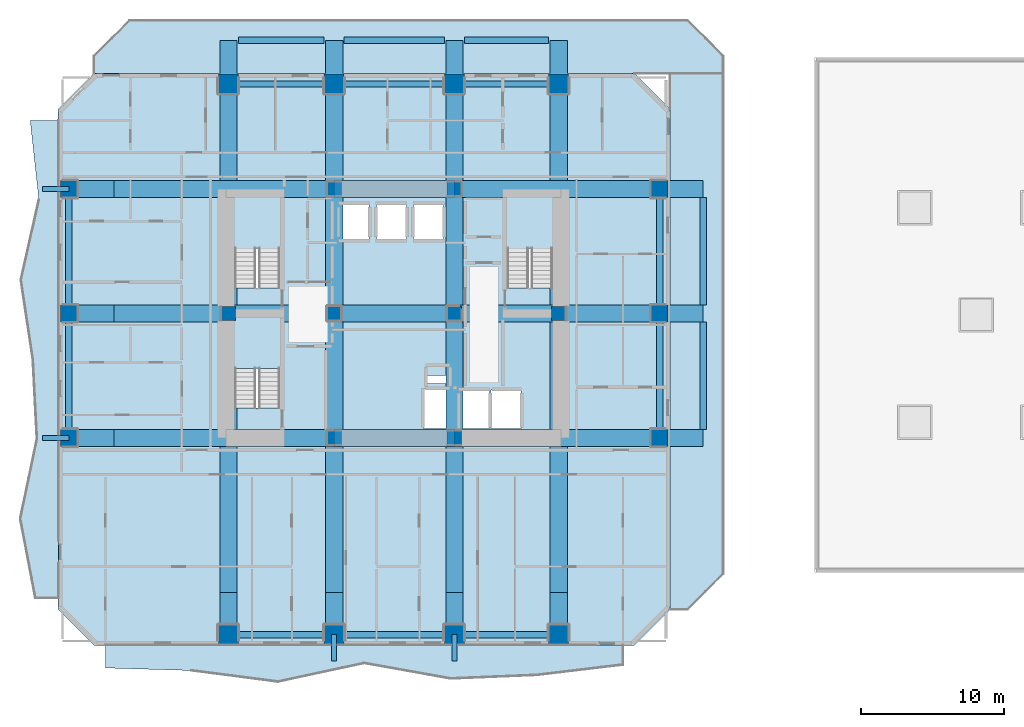
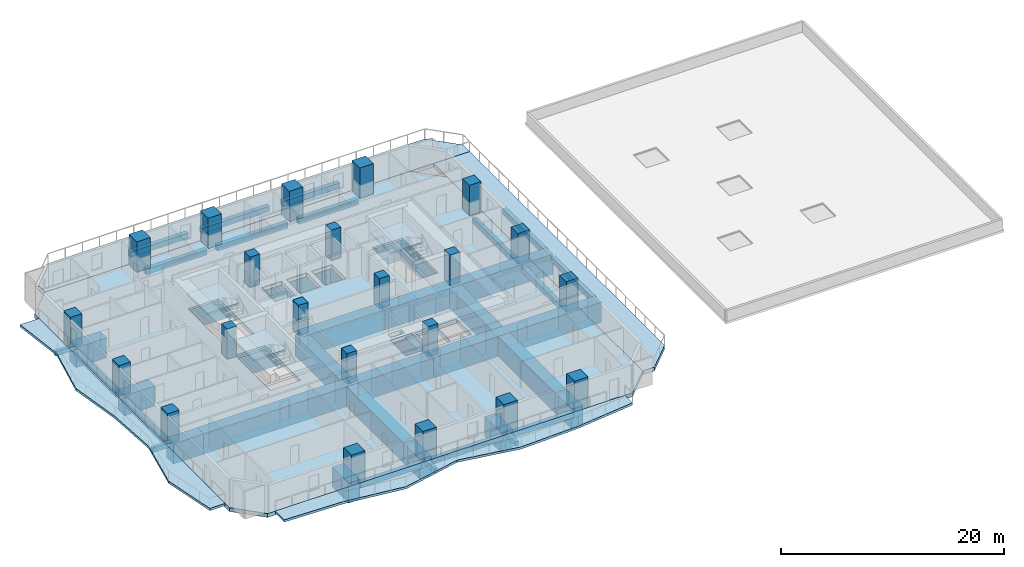
# One storey, part 1 of 13: 43 beams, 22 columns, 8 slabs, 3 elements without a shape of their own.
"""IFC4 building model written with IfcOpenShell, lengths in metres."""

import ifcopenshell
import ifcopenshell.guid

model = None  # the IFC model being written
_history = None  # IfcOwnerHistory: only IFC2X3 demands one
_inside = {}  # id of a spatial element -> (the spatial element, [elements in it])
_under = {}  # id of a project, library or spatial element -> (it, [spatial elements below it])
_declared = {}  # id of a project -> (the project, [libraries it declares])
_typed = {}  # id of a type object -> (the type object, [elements of that type])
_made_of = {}  # id of a material, layer set ... -> (it, [elements and type objects made of it])


def new_model(schema):
    """Start an empty IFC model of exactly this schema.

    Asked for "IFC4X3", IfcOpenShell would pick the latest addendum, in which some entities
    have other attributes; the version numbers below select the first issue.
    IFC2X3 requires an IfcOwnerHistory on every rooted entity: one is made here for all.
    """
    global model, _history
    if schema == "IFC4X3":
        model = ifcopenshell.file(schema_version=(4, 3, 0, 0))
    else:
        model = ifcopenshell.file(schema=schema)
    _inside.clear()
    _under.clear()
    _declared.clear()
    _typed.clear()
    _made_of.clear()
    _history = None
    if model.schema == "IFC2X3":
        org = make("IfcOrganization", Name="unknown")
        user = make(
            "IfcPersonAndOrganization",
            ThePerson=make("IfcPerson", FamilyName="unknown"),
            TheOrganization=org,
        )
        app = make(
            "IfcApplication",
            ApplicationDeveloper=org,
            Version="unknown",
            ApplicationFullName="unknown",
            ApplicationIdentifier="unknown",
        )
        _history = make(
            "IfcOwnerHistory",
            OwningUser=user,
            OwningApplication=app,
            ChangeAction="ADDED",
            CreationDate=0,
        )
    return model


def make(cls, **values):
    """One entity of the class cls with the attributes given. An attribute that is None is left unset."""
    return model.create_entity(
        cls, **{name: value for name, value in values.items() if value is not None}
    )


def rooted(cls, **values):
    """An entity with a GlobalId (a new one), such as an element, a storey or a relation."""
    return make(cls, GlobalId=ifcopenshell.guid.new(), OwnerHistory=_history, **values)


def si_unit(unit_type, name, prefix=None):
    """IfcSIUnit, for example si_unit("LENGTHUNIT", "METRE", prefix="MILLI")."""
    return make("IfcSIUnit", UnitType=unit_type, Prefix=prefix, Name=name)


def assignment(units):
    """IfcUnitAssignment: the units of a project."""
    return None if units is None else make("IfcUnitAssignment", Units=units)


def point(xyz):
    """IfcCartesianPoint."""
    return None if xyz is None else make("IfcCartesianPoint", Coordinates=xyz)


def direction(xyz):
    """IfcDirection."""
    return None if xyz is None else make("IfcDirection", DirectionRatios=xyz)


def frame(location, z_axis=None, x_axis=None):
    """IfcAxis2Placement3D, a coordinate frame: its origin and axes. An axis left out is left unset."""
    return make(
        "IfcAxis2Placement3D",
        Location=point(location),
        Axis=direction(z_axis),
        RefDirection=direction(x_axis),
    )


def frame_2d(location, x_axis=None):
    """IfcAxis2Placement2D, a coordinate frame in the plane: its origin and x axis."""
    return make(
        "IfcAxis2Placement2D", Location=point(location), RefDirection=direction(x_axis)
    )


def origin():
    """The frame at (0, 0, 0) with its axes left unset."""
    return frame((0.0, 0.0, 0.0))


def origin_2d():
    """The frame at (0, 0) in the plane with its x axis left unset."""
    return frame_2d((0.0, 0.0))


def place(relative_to, where):
    """IfcLocalPlacement: puts the frame where relative to a parent placement (None: the world)."""
    return make(
        "IfcLocalPlacement", PlacementRelTo=relative_to, RelativePlacement=where
    )


def context(
    kind, dimensions, precision=None, world=None, true_north=None, identifier=None
):
    """IfcGeometricRepresentationContext, for example the 3D "Model" context."""
    return make(
        "IfcGeometricRepresentationContext",
        ContextIdentifier=identifier,
        ContextType=kind,
        CoordinateSpaceDimension=dimensions,
        Precision=precision,
        WorldCoordinateSystem=world,
        TrueNorth=true_north,
    )


def subcontext(parent, identifier, kind, view, scale=None):
    """IfcGeometricRepresentationSubContext, for example "Body" below "Model"."""
    return make(
        "IfcGeometricRepresentationSubContext",
        ContextIdentifier=identifier,
        ContextType=kind,
        ParentContext=parent,
        TargetScale=scale,
        TargetView=view,
    )


def project(units=None, contexts=None):
    """IfcProject with its units and contexts."""
    return rooted(
        "IfcProject",
        Name="project",
        RepresentationContexts=contexts,
        UnitsInContext=assignment(units),
    )


def spatial(cls, under=None, at=None, **own):
    """A site, building, storey or space (cls), placed at a placement, below another one or the project."""
    s = rooted(cls, ObjectPlacement=at, **own)
    if under is not None:
        _under.setdefault(under.id(), (under, []))[1].append(s)
    return s


def polyline(points):
    """IfcPolyline through the points."""
    return make("IfcPolyline", Points=[point(p) for p in points])


def profile(cls, at=None, kind="AREA", **sizes):
    """A parametric profile (cls). Its sizes go by their IFC names, for example OverallWidth=200.0."""
    return make(cls, ProfileType=kind, Position=at, **sizes)


def rectangle(**sizes):
    """IfcRectangleProfileDef."""
    return profile("IfcRectangleProfileDef", **sizes)


def outline(outer, holes=None, kind="AREA"):
    """IfcArbitraryClosedProfileDef: a profile drawn as a closed curve; with holes, ...WithVoids."""
    if holes is None:
        return make("IfcArbitraryClosedProfileDef", ProfileType=kind, OuterCurve=outer)
    return make(
        "IfcArbitraryProfileDefWithVoids",
        ProfileType=kind,
        OuterCurve=outer,
        InnerCurves=holes,
    )


def extrude(swept, where, along, depth):
    """IfcExtrudedAreaSolid: the profile swept, set in the frame where, extruded along a direction by depth."""
    return make(
        "IfcExtrudedAreaSolid",
        SweptArea=swept,
        Position=where,
        ExtrudedDirection=direction(along),
        Depth=depth,
    )


def shape(context_of_items, identifier, shape_type, items):
    """IfcShapeRepresentation: the items that make up one representation, for example the "Body"."""
    return make(
        "IfcShapeRepresentation",
        ContextOfItems=context_of_items,
        RepresentationIdentifier=identifier,
        RepresentationType=shape_type,
        Items=items,
    )


def material(Name=None, Category=None):
    """IfcMaterial."""
    return make("IfcMaterial", Name=Name, Category=Category)


def layer(
    of_material, thickness, ventilated=None, Name=None, Category=None, Priority=None
):
    """IfcMaterialLayer: one layer of a wall or slab, of a material (None: an air gap)."""
    return make(
        "IfcMaterialLayer",
        Material=of_material,
        LayerThickness=thickness,
        IsVentilated=ventilated,
        Name=Name,
        Category=Category,
        Priority=Priority,
    )


def layer_set(layers, Name=None):
    """IfcMaterialLayerSet."""
    return make("IfcMaterialLayerSet", MaterialLayers=layers, LayerSetName=Name)


def material_profile(
    of_material, cross_section, Name=None, Category=None, Priority=None
):
    """IfcMaterialProfile: a cross section and its material."""
    return make(
        "IfcMaterialProfile",
        Name=Name,
        Material=of_material,
        Profile=cross_section,
        Priority=Priority,
        Category=Category,
    )


def profile_set(profiles, Name=None, composite=None):
    """IfcMaterialProfileSet."""
    return make(
        "IfcMaterialProfileSet",
        Name=Name,
        MaterialProfiles=profiles,
        CompositeProfile=composite,
    )


def made_of(thing, what):
    """Note that an element or type object is made of a material, layer set ...; save() writes the relation."""
    if what is not None:
        _made_of.setdefault(what.id(), (what, []))[1].append(thing)
    return thing


def type_object(cls, material=None, **own):
    """A type object (cls), such as IfcWallType, which elements share."""
    return made_of(rooted(cls, **own), material)


def element(
    cls,
    number,
    at=None,
    inside=None,
    cuts=None,
    type_object=None,
    material=None,
    context=None,
    identifier="Body",
    shape_type=None,
    held_by="IfcProductDefinitionShape",
    body=None,
    shapes=None,
    **own,
):
    """One element of the class cls, such as IfcWall. Its Tag is "e" and its number.

    at: its placement. inside: the storey or other place that contains it. cuts: it is an
    opening in that element (IfcRelVoidsElement). A single representation is given by context,
    identifier, shape_type and body (its items); several are given by shapes. held_by: the class
    of the entity that holds the representations. save() writes the other relations.
    """
    e = rooted(cls, Tag="e%d" % number, ObjectPlacement=at, **own)
    if body is not None:
        shapes = [shape(context, identifier, shape_type, body)]
    if shapes is not None:
        e.Representation = make(held_by, Representations=shapes)
    if inside is not None:
        _inside.setdefault(inside.id(), (inside, []))[1].append(e)
    if cuts is not None:
        rooted(
            "IfcRelVoidsElement", RelatingBuildingElement=cuts, RelatedOpeningElement=e
        )
    if type_object is not None:
        _typed.setdefault(type_object.id(), (type_object, []))[1].append(e)
    return made_of(e, material)


def aggregate(whole, parts):
    """IfcRelAggregates: a whole, such as a stair, and the parts it consists of."""
    return rooted("IfcRelAggregates", RelatingObject=whole, RelatedObjects=parts)


def save(model, path):
    """Write the relations noted so far, then the file.

    IfcRelAggregates (storeys below a building ...), IfcRelContainedInSpatialStructure (elements
    in a storey), IfcRelDefinesByType, IfcRelAssociatesMaterial and IfcRelDeclares: one each for
    every whole, place, type object, material and project.
    """
    for whole, parts in _under.values():
        aggregate(whole, parts)
    for where, things in _inside.values():
        rooted(
            "IfcRelContainedInSpatialStructure",
            RelatedElements=things,
            RelatingStructure=where,
        )
    for kind, things in _typed.values():
        rooted("IfcRelDefinesByType", RelatedObjects=things, RelatingType=kind)
    for what, things in _made_of.values():
        rooted("IfcRelAssociatesMaterial", RelatedObjects=things, RelatingMaterial=what)
    for by, libraries in _declared.values():
        rooted("IfcRelDeclares", RelatingContext=by, RelatedDefinitions=libraries)
    model.write(path)


model = new_model("IFC4")

# Units and contexts
model_context = context("Model", 3, precision=1e-05, world=origin(), true_north=direction((0.0, 1.0)))
body_context = subcontext(model_context, "Body", "Model", "MODEL_VIEW")
ifc_project = project(units=[si_unit("LENGTHUNIT", "METRE"), si_unit("AREAUNIT", "SQUARE_METRE"), si_unit("VOLUMEUNIT", "CUBIC_METRE"), si_unit("PLANEANGLEUNIT", "RADIAN"), si_unit("MASSUNIT", "GRAM", prefix="KILO")], contexts=[model_context])

# Site, building, storey
site_placement = place(None, origin())
site = spatial("IfcSite", under=ifc_project, at=site_placement, CompositionType="ELEMENT")
building_placement = place(site_placement, origin())
building = spatial("IfcBuilding", under=site, at=building_placement, Name="Solanera Arch Residences", CompositionType="ELEMENT")
storey_placement = place(building_placement, frame((0.0, 0.0, 22.0)))
storey = spatial("IfcBuildingStorey", under=building, at=storey_placement, Name="L05", CompositionType="ELEMENT", Elevation=22.0)

# Columns
ifc_material_1 = material(Name="Concrete C55/67 (f'c = 60 MPa)", Category="concrete")
ifc_material_profile_1 = material_profile(ifc_material_1, rectangle(XDim=1.0, YDim=1.0, at=origin_2d()))
ifc_profile_set_1 = profile_set([ifc_material_profile_1], Name="Concrete C55/67 (f'c = 60 MPa)")
column_type_1 = type_object("IfcColumnType", Name="Structural Column RC-COL-1000X1000", PredefinedType="COLUMN", material=ifc_profile_set_1)
for number, where, z_axis, x_axis, name in (
    (1, (20.800048828125, 22.0, 0.0), (0.0, 0.0, 1.0), (1.0, 0.0, 0.0), "COL-L05-CB-SW"),
    (2, (29.199951171875, 22.0, 0.0), (0.0, 0.0, 1.0), (1.0, 0.0, 0.0), "COL-L05-CB-SE"),
    (3, (20.800048828125, 39.39990234375, 0.0), (0.0, 0.0, 1.0), (1.0, 0.0, 0.0), "COL-L05-CB-NW"),
    (4, (29.199951171875, 39.39990234375, 0.0), (0.0, 0.0, 1.0), (1.0, 0.0, 0.0), "COL-L05-CB-NE"),
    (5, (13.39990234375, 30.699951171875, 0.0), (0.0, 0.0, 1.0), (1.0, 0.0, 0.0), "COL-L05-CB-WW"),
    (6, (36.5, 30.699951171875, 0.0), (0.0, 0.0, 1.0), (1.0, 0.0, 0.0), "COL-L05-CB-EE"),
    (7, (20.800048828125, 30.699951171875, 0.0), (0.0, 0.0, 1.0), (1.0, 0.0, 0.0), "COL-L05-CORE-W"),
    (8, (29.199951171875, 30.699951171875, 0.0), (0.0, 0.0, 1.0), (1.0, 0.0, 0.0), "COL-L05-CORE-E"),
):
    element("IfcColumn", number, at=place(storey_placement, frame(where, z_axis=z_axis, x_axis=x_axis)), inside=storey, type_object=column_type_1, Name=name, PredefinedType="COLUMN", context=body_context, shape_type="SweptSolid", body=[
        extrude(rectangle(XDim=1.0, YDim=1.0, at=origin_2d()), origin(), (0.0, 0.0, 1.0), 3.320068359375),
    ])
ifc_material_2 = material(Name="Concrete C55/67 (f'c = 60 MPa)", Category="concrete")
ifc_material_profile_2 = material_profile(ifc_material_2, rectangle(XDim=1.199951171875, YDim=1.199951171875, at=origin_2d()))
ifc_profile_set_2 = profile_set([ifc_material_profile_2], Name="Concrete C55/67 (f'c = 60 MPa)")
column_type_2 = type_object("IfcColumnType", Name="Structural Column RC-COL-1200X1200", PredefinedType="COLUMN", material=ifc_profile_set_2)
for number, where, z_axis, x_axis, name in (
    (9, (2.25, 22.0, -0.199951171875), (0.0, 0.0, 1.0), (1.0, 0.0, 0.0), "COL-L05-TWR-09"),
    (10, (43.550048828125, 22.0, -0.199951171875), (0.0, 0.0, 1.0), (1.0, 0.0, 0.0), "COL-L05-TWR-10"),
    (11, (2.25, 30.699951171875, -0.199951171875), (0.0, 0.0, 1.0), (1.0, 0.0, 0.0), "COL-L05-TWR-11"),
    (12, (43.550048828125, 30.699951171875, -0.199951171875), (0.0, 0.0, 1.0), (1.0, 0.0, 0.0), "COL-L05-TWR-12"),
    (13, (2.25, 39.39990234375, -0.199951171875), (0.0, 0.0, 1.0), (1.0, 0.0, 0.0), "COL-L05-TWR-13"),
    (14, (43.550048828125, 39.39990234375, -0.199951171875), (0.0, 0.0, 1.0), (1.0, 0.0, 0.0), "COL-L05-TWR-14"),
):
    element("IfcColumn", number, at=place(storey_placement, frame(where, z_axis=z_axis, x_axis=x_axis)), inside=storey, type_object=column_type_2, Name=name, PredefinedType="COLUMN", context=body_context, shape_type="SweptSolid", body=[
        extrude(rectangle(XDim=1.199951171875, YDim=1.199951171875, at=origin_2d()), origin(), (0.0, 0.0, 1.0), 3.52001953125),
    ])
ifc_material_3 = material(Name="Concrete C55/67 (f'c = 60 MPa)", Category="concrete")
ifc_material_profile_3 = material_profile(ifc_material_3, rectangle(XDim=1.39990234375, YDim=1.39990234375, at=origin_2d()))
ifc_profile_set_3 = profile_set([ifc_material_profile_3], Name="Concrete C55/67 (f'c = 60 MPa)")
column_type_3 = type_object("IfcColumnType", Name="Structural Column RC-COL-1400X1400", PredefinedType="COLUMN", material=ifc_profile_set_3)
for number, where, z_axis, x_axis, name in (
    (15, (13.39990234375, 8.25, -0.199951171875), (0.0, 0.0, 1.0), (1.0, 0.0, 0.0), "COL-L05-TWR-01"),
    (16, (13.39990234375, 46.75, -0.199951171875), (0.0, 0.0, 1.0), (1.0, 0.0, 0.0), "COL-L05-TWR-02"),
    (17, (20.800048828125, 8.25, -0.199951171875), (0.0, 0.0, 1.0), (1.0, 0.0, 0.0), "COL-L05-TWR-03"),
    (18, (20.800048828125, 46.75, -0.199951171875), (0.0, 0.0, 1.0), (1.0, 0.0, 0.0), "COL-L05-TWR-04"),
    (19, (29.199951171875, 8.25, -0.199951171875), (0.0, 0.0, 1.0), (1.0, 0.0, 0.0), "COL-L05-TWR-05"),
    (20, (29.199951171875, 46.75, -0.199951171875), (0.0, 0.0, 1.0), (1.0, 0.0, 0.0), "COL-L05-TWR-06"),
    (21, (36.5, 8.25, -0.199951171875), (0.0, 0.0, 1.0), (1.0, 0.0, 0.0), "COL-L05-TWR-07"),
    (22, (36.5, 46.75, -0.199951171875), (0.0, 0.0, 1.0), (1.0, 0.0, 0.0), "COL-L05-TWR-08"),
):
    element("IfcColumn", number, at=place(storey_placement, frame(where, z_axis=z_axis, x_axis=x_axis)), inside=storey, type_object=column_type_3, Name=name, PredefinedType="COLUMN", context=body_context, shape_type="SweptSolid", body=[
        extrude(rectangle(XDim=1.39990234375, YDim=1.39990234375, at=origin_2d()), origin(), (0.0, 0.0, 1.0), 3.52001953125),
    ])

# Beams
ifc_material_4 = material(Name="Concrete C40/50 (f'c = 45 MPa)", Category="concrete")
ifc_material_profile_4 = material_profile(ifc_material_4, rectangle(XDim=0.35009765625, YDim=0.5, at=origin_2d()))
ifc_profile_set_4 = profile_set([ifc_material_profile_4], Name="Concrete C40/50 (f'c = 45 MPa)")
beam_type_1 = type_object("IfcBeamType", Name="BM-BALC-RIB", PredefinedType="BEAM", material=ifc_profile_set_4)
for number, where, z_axis, x_axis, name in (
    (23, (20.800048828125, 6.39990234375, -0.5), (0.0, 1.0, 0.0), (-1.0, 0.0, 0.0), "BM-L05-BRIB-S1"),
    (24, (29.199951171875, 6.39990234375, -0.5), (0.0, 1.0, 0.0), (-1.0, 0.0, 0.0), "BM-L05-BRIB-S2"),
    (25, (0.39990234375, 22.0, -0.5), (1.0, 0.0, 0.0), (0.0, 1.0, 0.0), "BM-L05-BRIB-W1"),
    (26, (0.39990234375, 39.39990234375, -0.5), (1.0, 0.0, 0.0), (0.0, 1.0, 0.0), "BM-L05-BRIB-W2"),
):
    element("IfcBeam", number, at=place(storey_placement, frame(where, z_axis=z_axis, x_axis=x_axis)), inside=storey, type_object=beam_type_1, Name=name, PredefinedType="BEAM", context=body_context, shape_type="SweptSolid", body=[
        extrude(rectangle(XDim=0.35009765625, YDim=0.5, at=origin_2d()), origin(), (0.0, 0.0, 1.0), 1.85009765625),
    ])
ifc_material_5 = material(Name="Concrete C55/67 (f'c = 60 MPa)", Category="concrete")
ifc_material_profile_5 = material_profile(ifc_material_5, rectangle(XDim=1.199951171875, YDim=2.199951171875, at=origin_2d()))
ifc_profile_set_5 = profile_set([ifc_material_profile_5], Name="Concrete C55/67 (f'c = 60 MPa)")
beam_type_2 = type_object("IfcBeamType", Name="BM-CANT-BLOCK", PredefinedType="BEAM", material=ifc_profile_set_5)
for number, where, z_axis, x_axis, name in (
    (27, (13.39990234375, 8.25, -1.300048828125), (0.0, 1.0, 0.0), (-1.0, 0.0, 0.0), "BM-L05-CANT-NS-S-134"),
    (28, (20.800048828125, 8.25, -1.300048828125), (0.0, 1.0, 0.0), (-1.0, 0.0, 0.0), "BM-L05-CANT-NS-S-208"),
    (29, (29.199951171875, 8.25, -1.300048828125), (0.0, 1.0, 0.0), (-1.0, 0.0, 0.0), "BM-L05-CANT-NS-S-292"),
    (30, (36.5, 8.25, -1.300048828125), (0.0, 1.0, 0.0), (-1.0, 0.0, 0.0), "BM-L05-CANT-NS-S-365"),
):
    element("IfcBeam", number, at=place(storey_placement, frame(where, z_axis=z_axis, x_axis=x_axis)), inside=storey, type_object=beam_type_2, Name=name, PredefinedType="BEAM", context=body_context, shape_type="SweptSolid", body=[
        extrude(rectangle(XDim=1.199951171875, YDim=2.199951171875, at=origin_2d()), origin(), (0.0, 0.0, 1.0), 2.949951171875),
    ])
for number, where, z_axis, x_axis, name in (
    (31, (2.25, 22.0, -1.300048828125), (1.0, 0.0, 0.0), (0.0, 1.0, 0.0), "BM-L05-CANT-EW-W-220"),
    (32, (2.25, 30.699951171875, -1.300048828125), (1.0, 0.0, 0.0), (0.0, 1.0, 0.0), "BM-L05-CANT-EW-W-307"),
    (33, (2.25, 39.39990234375, -1.300048828125), (1.0, 0.0, 0.0), (0.0, 1.0, 0.0), "BM-L05-CANT-EW-W-394"),
):
    element("IfcBeam", number, at=place(storey_placement, frame(where, z_axis=z_axis, x_axis=x_axis)), inside=storey, type_object=beam_type_2, Name=name, PredefinedType="BEAM", context=body_context, shape_type="SweptSolid", body=[
        extrude(rectangle(XDim=1.199951171875, YDim=2.199951171875, at=origin_2d()), origin(), (0.0, 0.0, 1.0), 3.14990234375),
    ])
ifc_material_6 = material(Name="Concrete C40/50 (f'c = 45 MPa)", Category="concrete")
ifc_material_profile_6 = material_profile(ifc_material_6, rectangle(XDim=0.449951171875, YDim=0.60009765625, at=origin_2d()))
ifc_profile_set_6 = profile_set([ifc_material_profile_6], Name="Concrete C40/50 (f'c = 45 MPa)")
beam_type_3 = type_object("IfcBeamType", Name="Spandrel Beam RC-BM-450X600", PredefinedType="SPANDREL", material=ifc_profile_set_6)
for number, where, z_axis, x_axis, name in (
    (34, (13.93994140625, 8.25, -0.719970703125), (1.0, 0.0, 0.0), (0.0, 1.0, 0.0), "BM-L05-XRING-S-1"),
    (35, (13.93994140625, 46.75, -0.719970703125), (1.0, 0.0, 0.0), (0.0, 1.0, 0.0), "BM-L05-XRING-N-1"),
):
    element("IfcBeam", number, at=place(storey_placement, frame(where, z_axis=z_axis, x_axis=x_axis)), inside=storey, type_object=beam_type_3, Name=name, PredefinedType="SPANDREL", context=body_context, shape_type="SweptSolid", body=[
        extrude(rectangle(XDim=0.449951171875, YDim=0.60009765625, at=origin_2d()), origin(), (0.0, 0.0, 1.0), 6.320068359375),
    ])
for number, where, z_axis, x_axis, name in (
    (36, (21.340087890625, 8.25, -0.719970703125), (1.0, 0.0, 0.0), (0.0, 1.0, 0.0), "BM-L05-XRING-S-2"),
    (37, (21.340087890625, 46.75, -0.719970703125), (1.0, 0.0, 0.0), (0.0, 1.0, 0.0), "BM-L05-XRING-N-2"),
):
    element("IfcBeam", number, at=place(storey_placement, frame(where, z_axis=z_axis, x_axis=x_axis)), inside=storey, type_object=beam_type_3, Name=name, PredefinedType="SPANDREL", context=body_context, shape_type="SweptSolid", body=[
        extrude(rectangle(XDim=0.449951171875, YDim=0.60009765625, at=origin_2d()), origin(), (0.0, 0.0, 1.0), 7.31982421875),
    ])
for number, where, z_axis, x_axis, name in (
    (38, (29.739990234375, 8.25, -0.719970703125), (1.0, 0.0, 0.0), (0.0, 1.0, 0.0), "BM-L05-XRING-S-3"),
    (39, (29.739990234375, 46.75, -0.719970703125), (1.0, 0.0, 0.0), (0.0, 1.0, 0.0), "BM-L05-XRING-N-3"),
):
    element("IfcBeam", number, at=place(storey_placement, frame(where, z_axis=z_axis, x_axis=x_axis)), inside=storey, type_object=beam_type_3, Name=name, PredefinedType="SPANDREL", context=body_context, shape_type="SweptSolid", body=[
        extrude(rectangle(XDim=0.449951171875, YDim=0.60009765625, at=origin_2d()), origin(), (0.0, 0.0, 1.0), 6.219970703125),
    ])
for number, where, z_axis, x_axis, name in (
    (40, (2.25, 22.5400390625, -0.719970703125), (0.0, 1.0, 0.0), (-1.0, 0.0, 0.0), "BM-L05-XRING-W-1"),
    (41, (43.550048828125, 22.5400390625, -0.719970703125), (0.0, 1.0, 0.0), (-1.0, 0.0, 0.0), "BM-L05-XRING-E-1"),
):
    element("IfcBeam", number, at=place(storey_placement, frame(where, z_axis=z_axis, x_axis=x_axis)), inside=storey, type_object=beam_type_3, Name=name, PredefinedType="SPANDREL", context=body_context, shape_type="SweptSolid", body=[
        extrude(rectangle(XDim=0.449951171875, YDim=0.60009765625, at=origin_2d()), origin(), (0.0, 0.0, 1.0), 7.619873046875),
    ])
for number, where, z_axis, x_axis, name in (
    (42, (2.25, 31.239990234375, -0.719970703125), (0.0, 1.0, 0.0), (-1.0, 0.0, 0.0), "BM-L05-XRING-W-2"),
    (43, (43.550048828125, 31.239990234375, -0.719970703125), (0.0, 1.0, 0.0), (-1.0, 0.0, 0.0), "BM-L05-XRING-E-2"),
):
    element("IfcBeam", number, at=place(storey_placement, frame(where, z_axis=z_axis, x_axis=x_axis)), inside=storey, type_object=beam_type_3, Name=name, PredefinedType="SPANDREL", context=body_context, shape_type="SweptSolid", body=[
        extrude(rectangle(XDim=0.449951171875, YDim=0.60009765625, at=origin_2d()), origin(), (0.0, 0.0, 1.0), 7.6201171875),
    ])
for number, where, z_axis, x_axis, name in (
    (44, (46.60009765625, 22.60009765625, -0.719970703125), (0.0, 1.0, 0.0), (-1.0, 0.0, 0.0), "BM-L05-TERR-E1"),
    (45, (46.60009765625, 31.300048828125, -0.719970703125), (0.0, 1.0, 0.0), (-1.0, 0.0, 0.0), "BM-L05-TERR-E2"),
):
    element("IfcBeam", number, at=place(storey_placement, frame(where, z_axis=z_axis, x_axis=x_axis)), inside=storey, type_object=beam_type_3, Name=name, PredefinedType="SPANDREL", context=body_context, shape_type="SweptSolid", body=[
        extrude(rectangle(XDim=0.449951171875, YDim=0.60009765625, at=origin_2d()), origin(), (0.0, 0.0, 1.0), 7.5),
    ])
beam_1_placement = place(storey_placement, frame((14.10009765625, 49.800048828125, -0.719970703125), z_axis=(1.0, 0.0, 0.0), x_axis=(0.0, 1.0, 0.0)))
element("IfcBeam", 46, at=beam_1_placement, inside=storey, type_object=beam_type_3, Name="BM-L05-TERR-N1", PredefinedType="SPANDREL", context=body_context, shape_type="SweptSolid", body=[
    extrude(rectangle(XDim=0.449951171875, YDim=0.60009765625, at=origin_2d()), origin(), (0.0, 0.0, 1.0), 6.0),
])
beam_2_placement = place(storey_placement, frame((21.5, 49.800048828125, -0.719970703125), z_axis=(1.0, 0.0, 0.0), x_axis=(0.0, 1.0, 0.0)))
element("IfcBeam", 47, at=beam_2_placement, inside=storey, type_object=beam_type_3, Name="BM-L05-TERR-N2", PredefinedType="SPANDREL", context=body_context, shape_type="SweptSolid", body=[
    extrude(rectangle(XDim=0.449951171875, YDim=0.60009765625, at=origin_2d()), origin(), (0.0, 0.0, 1.0), 7.0),
])
beam_3_placement = place(storey_placement, frame((29.89990234375, 49.800048828125, -0.719970703125), z_axis=(1.0, 0.0, 0.0), x_axis=(0.0, 1.0, 0.0)))
element("IfcBeam", 48, at=beam_3_placement, inside=storey, type_object=beam_type_3, Name="BM-L05-TERR-N3", PredefinedType="SPANDREL", context=body_context, shape_type="SweptSolid", body=[
    extrude(rectangle(XDim=0.449951171875, YDim=0.60009765625, at=origin_2d()), origin(), (0.0, 0.0, 1.0), 5.900146484375),
])
ifc_material_7 = material(Name="Concrete C55/67 (f'c = 60 MPa)", Category="concrete")
ifc_material_profile_7 = material_profile(ifc_material_7, rectangle(XDim=1.199951171875, YDim=2.199951171875, at=origin_2d()))
ifc_profile_set_7 = profile_set([ifc_material_profile_7], Name="Concrete C55/67 (f'c = 60 MPa)")
beam_type_4 = type_object("IfcBeamType", Name="Transfer Girder RC-BM-1200X2200", PredefinedType="BEAM", material=ifc_profile_set_7)
beam_4_placement = place(storey_placement, frame((13.39990234375, 11.199951171875, -1.300048828125), z_axis=(0.0, 1.0, 0.0), x_axis=(-1.0, 0.0, 0.0)))
element("IfcBeam", 49, at=beam_4_placement, inside=storey, type_object=beam_type_4, Name="BM-L05-XFER-NS-S-134", PredefinedType="BEAM", context=body_context, shape_type="SweptSolid", body=[
    extrude(rectangle(XDim=1.199951171875, YDim=2.199951171875, at=origin_2d()), origin(), (0.0, 0.0, 1.0), 19.5),
])
beam_5_placement = place(storey_placement, frame((13.39990234375, 30.699951171875, -1.300048828125), z_axis=(0.0, 1.0, 0.0), x_axis=(-1.0, 0.0, 0.0)))
element("IfcBeam", 50, at=beam_5_placement, inside=storey, type_object=beam_type_4, Name="BM-L05-XFER-NS-N-134", PredefinedType="BEAM", context=body_context, shape_type="SweptSolid", body=[
    extrude(rectangle(XDim=1.199951171875, YDim=2.199951171875, at=origin_2d()), origin(), (0.0, 0.0, 1.0), 19.10009765625),
])
beam_6_placement = place(storey_placement, frame((20.800048828125, 11.199951171875, -1.300048828125), z_axis=(0.0, 1.0, 0.0), x_axis=(-1.0, 0.0, 0.0)))
element("IfcBeam", 51, at=beam_6_placement, inside=storey, type_object=beam_type_4, Name="BM-L05-XFER-NS-S-208", PredefinedType="BEAM", context=body_context, shape_type="SweptSolid", body=[
    extrude(rectangle(XDim=1.199951171875, YDim=2.199951171875, at=origin_2d()), origin(), (0.0, 0.0, 1.0), 19.5),
])
beam_7_placement = place(storey_placement, frame((20.800048828125, 30.699951171875, -1.300048828125), z_axis=(0.0, 1.0, 0.0), x_axis=(-1.0, 0.0, 0.0)))
element("IfcBeam", 52, at=beam_7_placement, inside=storey, type_object=beam_type_4, Name="BM-L05-XFER-NS-N-208", PredefinedType="BEAM", context=body_context, shape_type="SweptSolid", body=[
    extrude(rectangle(XDim=1.199951171875, YDim=2.199951171875, at=origin_2d()), origin(), (0.0, 0.0, 1.0), 19.10009765625),
])
beam_8_placement = place(storey_placement, frame((29.199951171875, 11.199951171875, -1.300048828125), z_axis=(0.0, 1.0, 0.0), x_axis=(-1.0, 0.0, 0.0)))
element("IfcBeam", 53, at=beam_8_placement, inside=storey, type_object=beam_type_4, Name="BM-L05-XFER-NS-S-292", PredefinedType="BEAM", context=body_context, shape_type="SweptSolid", body=[
    extrude(rectangle(XDim=1.199951171875, YDim=2.199951171875, at=origin_2d()), origin(), (0.0, 0.0, 1.0), 19.5),
])
beam_9_placement = place(storey_placement, frame((29.199951171875, 30.699951171875, -1.300048828125), z_axis=(0.0, 1.0, 0.0), x_axis=(-1.0, 0.0, 0.0)))
element("IfcBeam", 54, at=beam_9_placement, inside=storey, type_object=beam_type_4, Name="BM-L05-XFER-NS-N-292", PredefinedType="BEAM", context=body_context, shape_type="SweptSolid", body=[
    extrude(rectangle(XDim=1.199951171875, YDim=2.199951171875, at=origin_2d()), origin(), (0.0, 0.0, 1.0), 19.10009765625),
])
beam_10_placement = place(storey_placement, frame((36.5, 11.199951171875, -1.300048828125), z_axis=(0.0, 1.0, 0.0), x_axis=(-1.0, 0.0, 0.0)))
element("IfcBeam", 55, at=beam_10_placement, inside=storey, type_object=beam_type_4, Name="BM-L05-XFER-NS-S-365", PredefinedType="BEAM", context=body_context, shape_type="SweptSolid", body=[
    extrude(rectangle(XDim=1.199951171875, YDim=2.199951171875, at=origin_2d()), origin(), (0.0, 0.0, 1.0), 19.5),
])
beam_11_placement = place(storey_placement, frame((36.5, 30.699951171875, -1.300048828125), z_axis=(0.0, 1.0, 0.0), x_axis=(-1.0, 0.0, 0.0)))
element("IfcBeam", 56, at=beam_11_placement, inside=storey, type_object=beam_type_4, Name="BM-L05-XFER-NS-N-365", PredefinedType="BEAM", context=body_context, shape_type="SweptSolid", body=[
    extrude(rectangle(XDim=1.199951171875, YDim=2.199951171875, at=origin_2d()), origin(), (0.0, 0.0, 1.0), 19.10009765625),
])
beam_12_placement = place(storey_placement, frame((5.39990234375, 22.0, -1.300048828125), z_axis=(1.0, 0.0, 0.0), x_axis=(0.0, 1.0, 0.0)))
element("IfcBeam", 57, at=beam_12_placement, inside=storey, type_object=beam_type_4, Name="BM-L05-XFER-EW-W-220", PredefinedType="BEAM", context=body_context, shape_type="SweptSolid", body=[
    extrude(rectangle(XDim=1.199951171875, YDim=2.199951171875, at=origin_2d()), origin(), (0.0, 0.0, 1.0), 15.400146484375),
])
beam_13_placement = place(storey_placement, frame((20.800048828125, 22.0, -1.300048828125), z_axis=(1.0, 0.0, 0.0), x_axis=(0.0, 1.0, 0.0)))
element("IfcBeam", 58, at=beam_13_placement, inside=storey, type_object=beam_type_4, Name="BM-L05-XFER-EW-C-220", PredefinedType="BEAM", context=body_context, shape_type="SweptSolid", body=[
    extrude(rectangle(XDim=1.199951171875, YDim=2.199951171875, at=origin_2d()), origin(), (0.0, 0.0, 1.0), 8.39990234375),
])
beam_14_placement = place(storey_placement, frame((29.199951171875, 22.0, -1.300048828125), z_axis=(1.0, 0.0, 0.0), x_axis=(0.0, 1.0, 0.0)))
element("IfcBeam", 59, at=beam_14_placement, inside=storey, type_object=beam_type_4, Name="BM-L05-XFER-EW-E-220", PredefinedType="BEAM", context=body_context, shape_type="SweptSolid", body=[
    extrude(rectangle(XDim=1.199951171875, YDim=2.199951171875, at=origin_2d()), origin(), (0.0, 0.0, 1.0), 17.400146484375),
])
beam_15_placement = place(storey_placement, frame((5.39990234375, 30.699951171875, -1.300048828125), z_axis=(1.0, 0.0, 0.0), x_axis=(0.0, 1.0, 0.0)))
element("IfcBeam", 60, at=beam_15_placement, inside=storey, type_object=beam_type_4, Name="BM-L05-XFER-EW-W-307", PredefinedType="BEAM", context=body_context, shape_type="SweptSolid", body=[
    extrude(rectangle(XDim=1.199951171875, YDim=2.199951171875, at=origin_2d()), origin(), (0.0, 0.0, 1.0), 15.400146484375),
])
beam_16_placement = place(storey_placement, frame((20.800048828125, 30.699951171875, -1.300048828125), z_axis=(1.0, 0.0, 0.0), x_axis=(0.0, 1.0, 0.0)))
element("IfcBeam", 61, at=beam_16_placement, inside=storey, type_object=beam_type_4, Name="BM-L05-XFER-EW-C-307", PredefinedType="BEAM", context=body_context, shape_type="SweptSolid", body=[
    extrude(rectangle(XDim=1.199951171875, YDim=2.199951171875, at=origin_2d()), origin(), (0.0, 0.0, 1.0), 8.39990234375),
])
beam_17_placement = place(storey_placement, frame((29.199951171875, 30.699951171875, -1.300048828125), z_axis=(1.0, 0.0, 0.0), x_axis=(0.0, 1.0, 0.0)))
element("IfcBeam", 62, at=beam_17_placement, inside=storey, type_object=beam_type_4, Name="BM-L05-XFER-EW-E-307", PredefinedType="BEAM", context=body_context, shape_type="SweptSolid", body=[
    extrude(rectangle(XDim=1.199951171875, YDim=2.199951171875, at=origin_2d()), origin(), (0.0, 0.0, 1.0), 17.400146484375),
])
beam_18_placement = place(storey_placement, frame((5.39990234375, 39.39990234375, -1.300048828125), z_axis=(1.0, 0.0, 0.0), x_axis=(0.0, 1.0, 0.0)))
element("IfcBeam", 63, at=beam_18_placement, inside=storey, type_object=beam_type_4, Name="BM-L05-XFER-EW-W-394", PredefinedType="BEAM", context=body_context, shape_type="SweptSolid", body=[
    extrude(rectangle(XDim=1.199951171875, YDim=2.199951171875, at=origin_2d()), origin(), (0.0, 0.0, 1.0), 15.400146484375),
])
beam_19_placement = place(storey_placement, frame((20.800048828125, 39.39990234375, -1.300048828125), z_axis=(1.0, 0.0, 0.0), x_axis=(0.0, 1.0, 0.0)))
element("IfcBeam", 64, at=beam_19_placement, inside=storey, type_object=beam_type_4, Name="BM-L05-XFER-EW-C-394", PredefinedType="BEAM", context=body_context, shape_type="SweptSolid", body=[
    extrude(rectangle(XDim=1.199951171875, YDim=2.199951171875, at=origin_2d()), origin(), (0.0, 0.0, 1.0), 8.39990234375),
])
beam_20_placement = place(storey_placement, frame((29.199951171875, 39.39990234375, -1.300048828125), z_axis=(1.0, 0.0, 0.0), x_axis=(0.0, 1.0, 0.0)))
element("IfcBeam", 65, at=beam_20_placement, inside=storey, type_object=beam_type_4, Name="BM-L05-XFER-EW-E-394", PredefinedType="BEAM", context=body_context, shape_type="SweptSolid", body=[
    extrude(rectangle(XDim=1.199951171875, YDim=2.199951171875, at=origin_2d()), origin(), (0.0, 0.0, 1.0), 17.400146484375),
])

# Slabs
ifc_material_8 = material(Name="Concrete C40/50 (f'c = 45 MPa)", Category="concrete")
ifc_layer_1 = layer(ifc_material_8, 0.25)
ifc_layer_set_1 = layer_set([ifc_layer_1], Name="Concrete C40/50 (f'c = 45 MPa)")
slab_type_1 = type_object("IfcSlabType", Name="Balcony Slab 250", PredefinedType="FLOOR", material=ifc_layer_set_1)
slab_1_placement = place(storey_placement, frame((0.0, 0.0, -0.25)))
element("IfcSlab", 66, at=slab_1_placement, inside=storey, type_object=slab_type_1, Name="L05 S Rippling Brise-Soleil Balcony Slab", PredefinedType="FLOOR", context=body_context, shape_type="SweptSolid", body=[
    extrude(outline(polyline([(4.800048828125, 5.9150390625), (10.8330078125, 5.735107421875), (16.866943359375, 4.955078125), (22.89990234375, 6.251953125), (28.93310546875, 5.173095703125), (34.967041015625, 5.4208984375), (41.0, 6.14501953125), (41.0, 7.52001953125), (4.800048828125, 7.52001953125), (4.800048828125, 5.9150390625)])), origin(), (0.0, 0.0, 1.0), 0.25),
])
slab_2_placement = place(storey_placement, frame((0.0, 0.0, -0.25)))
element("IfcSlab", 67, at=slab_2_placement, inside=storey, type_object=slab_type_1, Name="L05 W Rippling Brise-Soleil Balcony Slab", PredefinedType="FLOOR", context=body_context, shape_type="SweptSolid", body=[
    extrude(outline(polyline([(-0.458984375, 44.199951171875), (0.14990234375, 38.633056640625), (-1.10302734375, 33.06689453125), (-0.264892578125, 27.5), (0.02099609375, 21.93310546875), (-1.14697265625, 16.366943359375), (-0.0849609375, 10.800048828125), (1.52001953125, 10.800048828125), (1.52001953125, 44.199951171875), (-0.458984375, 44.199951171875)])), origin(), (0.0, 0.0, 1.0), 0.25),
])

# Stair, slab
ifc_material_9 = material(Name="Concrete C40/50 (f'c = 45 MPa)", Category="concrete")
stair_type = type_object("IfcStairType", Name="Tower Dogleg Exit Stair 1480", PredefinedType="HALF_TURN_STAIR", material=ifc_material_9)
stair_1_placement = place(storey_placement, origin())
stair_1 = element("IfcStair", 68, at=stair_1_placement, inside=storey, type_object=stair_type, Name="L05 Tower Core Exit Stair 1", PredefinedType="HALF_TURN_STAIR")
ifc_material_10 = material(Name="Concrete C40/50 (f'c = 45 MPa)", Category="concrete")
ifc_layer_2 = layer(ifc_material_10, 0.199951171875)
ifc_layer_set_2 = layer_set([ifc_layer_2], Name="Concrete C40/50 (f'c = 45 MPa)")
slab_type_2 = type_object("IfcSlabType", Name="Stair Half-Landing Slab 200", PredefinedType="LANDING", material=ifc_layer_set_2)
slab_3_placement = place(storey_placement, frame((0.0, 0.0, 1.4599609375)))
slab_3 = element("IfcSlab", 69, at=slab_3_placement, type_object=slab_type_2, Name="ST-T1 landing 1", PredefinedType="LANDING", context=body_context, shape_type="SweptSolid", body=[
    extrude(outline(polyline([(17.1201171875, 35.260009765625), (17.1201171875, 38.919921875), (13.719970703125, 38.919921875), (13.719970703125, 35.260009765625), (17.1201171875, 35.260009765625)])), origin(), (0.0, 0.0, 1.0), 0.199951171875),
])
aggregate(stair_1, [slab_3])

stair_2_placement = place(storey_placement, origin())
stair_2 = element("IfcStair", 70, at=stair_2_placement, inside=storey, type_object=stair_type, Name="L05 Tower Core Exit Stair 2", PredefinedType="HALF_TURN_STAIR")
slab_4_placement = place(storey_placement, frame((0.0, 0.0, 1.4599609375)))
slab_4 = element("IfcSlab", 71, at=slab_4_placement, type_object=slab_type_2, Name="ST-T2 landing 1", PredefinedType="LANDING", context=body_context, shape_type="SweptSolid", body=[
    extrude(outline(polyline([(36.179931640625, 35.260009765625), (36.179931640625, 38.919921875), (32.780029296875, 38.919921875), (32.780029296875, 35.260009765625), (36.179931640625, 35.260009765625)])), origin(), (0.0, 0.0, 1.0), 0.199951171875),
])
aggregate(stair_2, [slab_4])

stair_3_placement = place(storey_placement, origin())
stair_3 = element("IfcStair", 72, at=stair_3_placement, inside=storey, type_object=stair_type, Name="L05 Tower Core Exit Stair 3", PredefinedType="HALF_TURN_STAIR")
slab_5_placement = place(storey_placement, frame((0.0, 0.0, 1.4599609375)))
slab_5 = element("IfcSlab", 73, at=slab_5_placement, type_object=slab_type_2, Name="ST-T3 landing 1", PredefinedType="LANDING", context=body_context, shape_type="SweptSolid", body=[
    extrude(outline(polyline([(17.1201171875, 26.860107421875), (17.1201171875, 30.52001953125), (13.719970703125, 30.52001953125), (13.719970703125, 26.860107421875), (17.1201171875, 26.860107421875)])), origin(), (0.0, 0.0, 1.0), 0.199951171875),
])
aggregate(stair_3, [slab_5])

# Slabs
ifc_material_11 = material(Name="Concrete C40/50 (f'c = 45 MPa)", Category="concrete")
ifc_layer_3 = layer(ifc_material_11, 0.419921875)
ifc_layer_set_3 = layer_set([ifc_layer_3], Name="Concrete C40/50 (f'c = 45 MPa)")
slab_type_3 = type_object("IfcSlabType", Name="Suspended Floor Slab Post-Tensioned 420", PredefinedType="FLOOR", material=ifc_layer_set_3)
slab_6_placement = place(storey_placement, frame((0.0, 0.0, -0.419921875)))
element("IfcSlab", 74, at=slab_6_placement, inside=storey, type_object=slab_type_3, Name="L05 Tower Post-Tensioned Floor Slab", PredefinedType="FLOOR", context=body_context, shape_type="SweptSolid", body=[
    extrude(outline(polyline([(4.0, 7.5), (41.800048828125, 7.5), (44.300048828125, 10.0), (44.300048828125, 45.0), (41.800048828125, 47.5), (4.0, 47.5), (1.5, 45.0), (1.5, 10.0), (4.0, 7.5)]), holes=[polyline([(13.840087890625, 32.48291015625), (13.840087890625, 38.800048828125), (17.0, 38.800048828125), (17.0, 32.48291015625), (13.840087890625, 32.48291015625)]), polyline([(32.89990234375, 32.48291015625), (32.89990234375, 38.800048828125), (36.06005859375, 38.800048828125), (36.06005859375, 32.48291015625), (32.89990234375, 32.48291015625)]), polyline([(13.840087890625, 24.0830078125), (13.840087890625, 30.39990234375), (17.0, 30.39990234375), (17.0, 24.0830078125), (13.840087890625, 24.0830078125)]), polyline([(21.14990234375, 38.35009765625), (23.25, 38.35009765625), (23.25, 35.85009765625), (21.14990234375, 35.85009765625), (21.14990234375, 38.35009765625)]), polyline([(23.75, 38.35009765625), (25.85009765625, 38.35009765625), (25.85009765625, 35.85009765625), (23.75, 35.85009765625), (23.75, 38.35009765625)]), polyline([(26.35009765625, 38.35009765625), (28.449951171875, 38.35009765625), (28.449951171875, 35.85009765625), (26.35009765625, 35.85009765625), (26.35009765625, 38.35009765625)]), polyline([(29.550048828125, 25.35009765625), (31.64990234375, 25.35009765625), (31.64990234375, 22.64990234375), (29.550048828125, 22.64990234375), (29.550048828125, 25.35009765625)]), polyline([(31.75, 25.35009765625), (33.85009765625, 25.35009765625), (33.85009765625, 22.64990234375), (31.75, 22.64990234375), (31.75, 25.35009765625)]), polyline([(27.050048828125, 25.449951171875), (29.35009765625, 25.449951171875), (29.35009765625, 22.64990234375), (27.050048828125, 22.64990234375), (27.050048828125, 25.449951171875)]), polyline([(27.340087890625, 26.3798828125), (28.760009765625, 26.3798828125), (28.760009765625, 25.820068359375), (27.340087890625, 25.820068359375), (27.340087890625, 26.3798828125)])]), origin(), (0.0, 0.0, 1.0), 0.419921875),
])
ifc_material_12 = material(Name="Concrete C40/50 (f'c = 45 MPa)", Category="concrete")
ifc_layer_4 = layer(ifc_material_12, 0.419921875)
ifc_layer_set_4 = layer_set([ifc_layer_4], Name="Concrete C40/50 (f'c = 45 MPa)")
slab_type_4 = type_object("IfcSlabType", Name="Terrace Slab 420", PredefinedType="FLOOR", material=ifc_layer_set_4)
slab_7_placement = place(storey_placement, frame((0.0, 0.0, -0.419921875)))
element("IfcSlab", 75, at=slab_7_placement, inside=storey, type_object=slab_type_4, Name="L05 Planted Sky Terrace Slab 1", PredefinedType="FLOOR", context=body_context, shape_type="SweptSolid", body=[
    extrude(outline(polyline([(4.0, 48.699951171875), (4.0, 47.47998046875), (4.008056640625, 47.47998046875), (41.7919921875, 47.47998046875), (48.0, 47.47998046875), (48.0, 48.699951171875), (45.5, 51.199951171875), (6.5, 51.199951171875), (4.0, 48.699951171875)])), origin(), (0.0, 0.0, 1.0), 0.419921875),
])
slab_8_placement = place(storey_placement, frame((0.0, 0.0, -0.419921875)))
element("IfcSlab", 76, at=slab_8_placement, inside=storey, type_object=slab_type_4, Name="L05 Planted Sky Terrace Slab 2", PredefinedType="FLOOR", context=body_context, shape_type="SweptSolid", body=[
    extrude(outline(polyline([(48.0, 47.47998046875), (44.280029296875, 47.47998046875), (44.280029296875, 44.991943359375), (44.280029296875, 10.008056640625), (44.280029296875, 10.0), (45.5, 10.0), (48.0, 12.5), (48.0, 47.47998046875)])), origin(), (0.0, 0.0, 1.0), 0.419921875),
])

save(model, "model.ifc")
